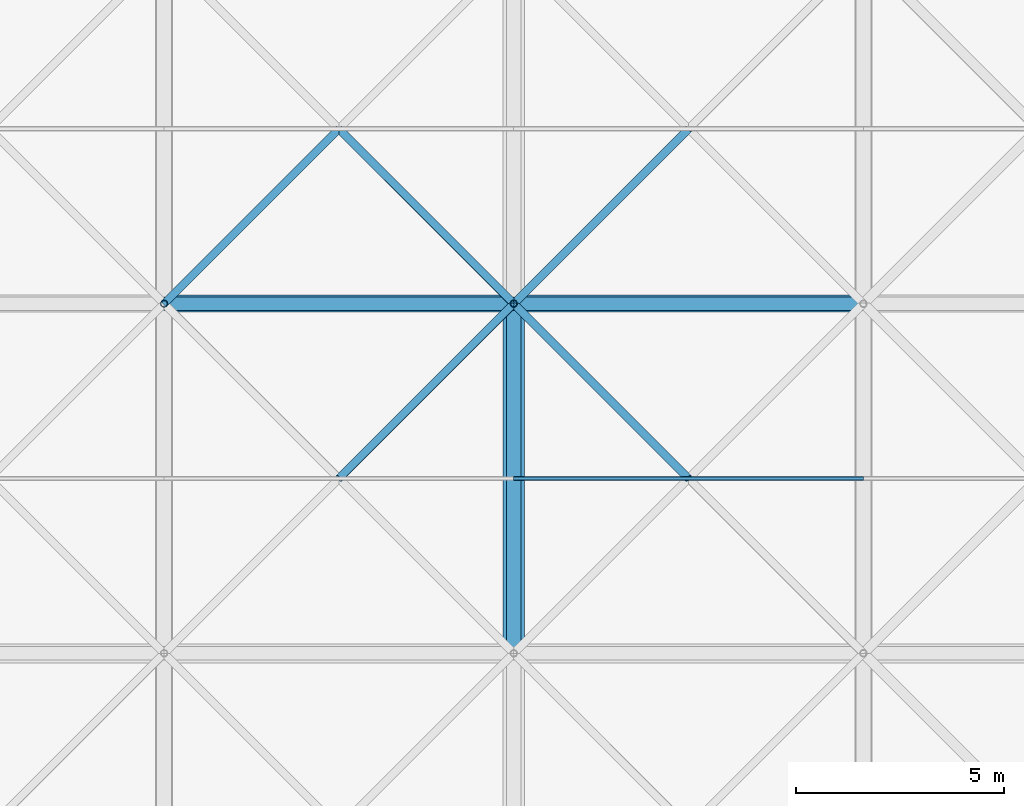
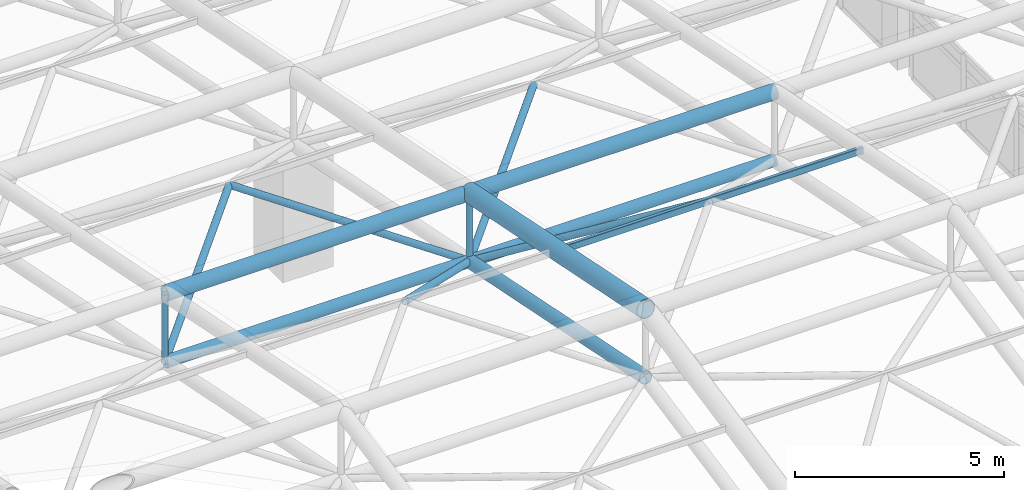
# One storey, part 62 of 110: 14 members.
"""IFC4 building model written with IfcOpenShell, lengths in metres."""

from ifc_helpers import new_model, si_unit, direction, frame, origin, origin_2d, place, context, subcontext, project, spatial, hollow_rectangle, hollow_circle, extrude, material, material_profile, profile_set, type_object, element, save


model = new_model("IFC4")

# Units and contexts
model_context = context("Model", 3, precision=1e-05, world=origin(), true_north=direction((0.0, 1.0)))
body_context = subcontext(model_context, "Body", "Model", "MODEL_VIEW")
ifc_project = project(units=[si_unit("LENGTHUNIT", "METRE"), si_unit("AREAUNIT", "SQUARE_METRE"), si_unit("VOLUMEUNIT", "CUBIC_METRE"), si_unit("PLANEANGLEUNIT", "RADIAN"), si_unit("MASSUNIT", "GRAM", prefix="KILO")], contexts=[model_context])

# Site, building, storey
site_placement = place(None, origin())
site = spatial("IfcSite", under=ifc_project, at=site_placement, CompositionType="ELEMENT")
building_placement = place(site_placement, origin())
building = spatial("IfcBuilding", under=site, at=building_placement, Name="Qawsi Khor Wholesale Market", CompositionType="ELEMENT")
storey_placement = place(building_placement, frame((0.0, 0.0, 11.39990234375)))
storey = spatial("IfcBuildingStorey", under=building, at=storey_placement, Name="L02", CompositionType="ELEMENT", Elevation=11.39990234375)

# Members
ifc_material = material(Name="Steel S355", Category="steel")
ifc_material_profile_1 = material_profile(ifc_material, hollow_circle(Radius=0.177734375, WallThickness=0.01611328125, at=origin_2d()), Name="CHS 355.6x16.0")
ifc_profile_set_1 = profile_set([ifc_material_profile_1], Name="Steel S355")
member_type_1 = type_object("IfcMemberType", Name="Space-Frame Bottom Chord CHS 355.6x16.0", PredefinedType="CHORD", material=ifc_profile_set_1)
member_1_placement = place(storey_placement, frame((201.60009765625, 75.60009765625, 6.77001953125), z_axis=(0.0, 0.980129990483, -0.1983562496), x_axis=(-1.0, 0.0, 0.0)))
element("IfcMember", 1, at=member_1_placement, inside=storey, type_object=member_type_1, Name="Space frame bottom chord Y EH (24,9)", PredefinedType="CHORD", context=body_context, shape_type="SweptSolid", body=[
    extrude(hollow_circle(Radius=0.177734375, WallThickness=0.01611328125, at=origin_2d()), origin(), (0.0, 0.0, 1.0), 8.5703125),
])
ifc_material_profile_2 = material_profile(ifc_material, hollow_circle(Radius=0.25390625, WallThickness=0.02490234375, at=origin_2d()), Name="CHS 508.0x25.0")
ifc_profile_set_2 = profile_set([ifc_material_profile_2], Name="Steel S355")
member_type_2 = type_object("IfcMemberType", Name="Space-Frame Main Chord CHS 508.0x25.0", PredefinedType="CHORD", material=ifc_profile_set_2)
member_2_placement = place(storey_placement, frame((201.60009765625, 75.60009765625, 8.77001953125), z_axis=(0.0, 0.980129990483, -0.1983562496), x_axis=(-1.0, 0.0, 0.0)))
element("IfcMember", 2, at=member_2_placement, inside=storey, type_object=member_type_2, Name="Space frame top chord Y EH (24,9)", PredefinedType="CHORD", context=body_context, shape_type="SweptSolid", body=[
    extrude(hollow_circle(Radius=0.25390625, WallThickness=0.02490234375, at=origin_2d()), origin(), (0.0, 0.0, 1.0), 8.5703125),
])
ifc_material_profile_3 = material_profile(ifc_material, hollow_rectangle(XDim=0.10009765625, YDim=0.199951171875, WallThickness=0.008056640625, InnerFilletRadius=0.008056640625, OuterFilletRadius=0.01611328125, at=origin_2d()), Name="RHS 200x100x8.0")
ifc_profile_set_3 = profile_set([ifc_material_profile_3], Name="Steel S355")
member_type_3 = type_object("IfcMemberType", Name="Space-Frame Purlin RHS 200x100x8.0", PredefinedType="PURLIN", material=ifc_profile_set_3)
member_3_placement = place(storey_placement, frame((201.60009765625, 79.800048828125, 7.920166015625), z_axis=(1.0, 0.0, 0.0), x_axis=(0.0, 1.0, 0.0)))
element("IfcMember", 3, at=member_3_placement, inside=storey, type_object=member_type_3, Name="Space frame purlin EH (24,9)", PredefinedType="PURLIN", context=body_context, shape_type="SweptSolid", body=[
    extrude(hollow_rectangle(XDim=0.10009765625, YDim=0.199951171875, WallThickness=0.008056640625, InnerFilletRadius=0.008056640625, OuterFilletRadius=0.01611328125, at=origin_2d()), origin(), (0.0, 0.0, 1.0), 8.39990234375),
])
ifc_material_profile_4 = material_profile(ifc_material, hollow_circle(Radius=0.161865234375, WallThickness=0.01611328125, at=origin_2d()), Name="CHS 323.9x16.0")
ifc_profile_set_4 = profile_set([ifc_material_profile_4], Name="Steel S355")
member_type_4 = type_object("IfcMemberType", Name="Space-Frame Secondary Chord CHS 323.9x16.0", PredefinedType="CHORD", material=ifc_profile_set_4)
member_4_placement = place(storey_placement, frame((193.199951171875, 84.0, 5.070068359375), z_axis=(1.0, 0.0, 0.0), x_axis=(0.0, 1.0, 0.0)))
element("IfcMember", 4, at=member_4_placement, inside=storey, type_object=member_type_4, Name="Space frame bottom chord X EH (23,10)", PredefinedType="CHORD", context=body_context, shape_type="SweptSolid", body=[
    extrude(hollow_circle(Radius=0.161865234375, WallThickness=0.01611328125, at=origin_2d()), origin(), (0.0, 0.0, 1.0), 8.400146484375),
])
member_5_placement = place(storey_placement, frame((201.60009765625, 84.0, 5.070068359375), z_axis=(1.0, 0.0, 0.0), x_axis=(0.0, 1.0, 0.0)))
element("IfcMember", 5, at=member_5_placement, inside=storey, type_object=member_type_4, Name="Space frame bottom chord X EH (24,10)", PredefinedType="CHORD", context=body_context, shape_type="SweptSolid", body=[
    extrude(hollow_circle(Radius=0.161865234375, WallThickness=0.01611328125, at=origin_2d()), origin(), (0.0, 0.0, 1.0), 8.39990234375),
])
ifc_material_profile_5 = material_profile(ifc_material, hollow_circle(Radius=0.096923828125, WallThickness=0.008056640625, at=origin_2d()), Name="CHS 193.7x8.0")
ifc_profile_set_5 = profile_set([ifc_material_profile_5], Name="Steel S355")
member_type_5 = type_object("IfcMemberType", Name="Space-Frame Secondary Diagonal CHS 193.7x8.0", PredefinedType="RAFTER", material=ifc_profile_set_5)
member_6_placement = place(storey_placement, frame((201.60009765625, 84.0, 5.070068359375), z_axis=(-0.637533737254, -0.637496679957, 0.432606884951), x_axis=(0.70708622964, -0.707127332136, 0.0)))
element("IfcMember", 6, at=member_6_placement, inside=storey, type_object=member_type_5, Name="Space frame diagonal EH (23,9)-3", PredefinedType="RAFTER", context=body_context, shape_type="SweptSolid", body=[
    extrude(hollow_circle(Radius=0.096923828125, WallThickness=0.008056640625, at=origin_2d()), origin(), (0.0, 0.0, 1.0), 6.588134765625),
])
for number, where, z_axis, x_axis, name in (
    (7, (193.199951171875, 84.0, 5.070068359375), (0.694211389158, 0.694211389158, 0.190108112208), (-0.707106781187, 0.707106781187, 0.0), "Space frame diagonal EH (23,10)-1"),
    (8, (201.60009765625, 84.0, 5.070068359375), (-0.694232294544, 0.694191941586, 0.190102786538), (-0.70708622964, -0.707127332136, 0.0), "Space frame diagonal EH (23,10)-2"),
):
    element("IfcMember", number, at=place(storey_placement, frame(where, z_axis=z_axis, x_axis=x_axis)), inside=storey, type_object=member_type_5, Name=name, PredefinedType="RAFTER", context=body_context, shape_type="SweptSolid", body=[
        extrude(hollow_circle(Radius=0.096923828125, WallThickness=0.008056640625, at=origin_2d()), origin(), (0.0, 0.0, 1.0), 6.050048828125),
    ])
member_7_placement = place(storey_placement, frame((201.60009765625, 84.0, 5.070068359375), z_axis=(0.637511741089, -0.637511741089, 0.432617105474), x_axis=(0.707106781187, 0.707106781187, 0.0)))
element("IfcMember", 9, at=member_7_placement, inside=storey, type_object=member_type_5, Name="Space frame diagonal EH (24,9)-4", PredefinedType="RAFTER", context=body_context, shape_type="SweptSolid", body=[
    extrude(hollow_circle(Radius=0.096923828125, WallThickness=0.008056640625, at=origin_2d()), origin(), (0.0, 0.0, 1.0), 6.588134765625),
])
member_8_placement = place(storey_placement, frame((201.60009765625, 84.0, 5.070068359375), z_axis=(0.694211389158, 0.694211389158, 0.190108112208), x_axis=(-0.707106781187, 0.707106781187, 0.0)))
element("IfcMember", 10, at=member_8_placement, inside=storey, type_object=member_type_5, Name="Space frame diagonal EH (24,10)-1", PredefinedType="RAFTER", context=body_context, shape_type="SweptSolid", body=[
    extrude(hollow_circle(Radius=0.096923828125, WallThickness=0.008056640625, at=origin_2d()), origin(), (0.0, 0.0, 1.0), 6.050048828125),
])
ifc_material_profile_6 = material_profile(ifc_material, hollow_circle(Radius=0.203125, WallThickness=0.02001953125, at=origin_2d()), Name="CHS 406.4x20.0")
ifc_profile_set_6 = profile_set([ifc_material_profile_6], Name="Steel S355")
member_type_6 = type_object("IfcMemberType", Name="Space-Frame Top Chord CHS 406.4x20.0", PredefinedType="CHORD", material=ifc_profile_set_6)
member_9_placement = place(storey_placement, frame((193.199951171875, 84.0, 7.070068359375), z_axis=(1.0, 0.0, 0.0), x_axis=(0.0, 1.0, 0.0)))
element("IfcMember", 11, at=member_9_placement, inside=storey, type_object=member_type_6, Name="Space frame top chord X EH (23,10)", PredefinedType="CHORD", context=body_context, shape_type="SweptSolid", body=[
    extrude(hollow_circle(Radius=0.203125, WallThickness=0.02001953125, at=origin_2d()), origin(), (0.0, 0.0, 1.0), 8.400146484375),
])
member_10_placement = place(storey_placement, frame((201.60009765625, 84.0, 7.070068359375), z_axis=(1.0, 0.0, 0.0), x_axis=(0.0, 1.0, 0.0)))
element("IfcMember", 12, at=member_10_placement, inside=storey, type_object=member_type_6, Name="Space frame top chord X EH (24,10)", PredefinedType="CHORD", context=body_context, shape_type="SweptSolid", body=[
    extrude(hollow_circle(Radius=0.203125, WallThickness=0.02001953125, at=origin_2d()), origin(), (0.0, 0.0, 1.0), 8.39990234375),
])
ifc_material_profile_7 = material_profile(ifc_material, hollow_circle(Radius=0.084228515625, WallThickness=0.008056640625, at=origin_2d()), Name="CHS 168.3x8.0")
ifc_profile_set_7 = profile_set([ifc_material_profile_7], Name="Steel S355")
member_type_7 = type_object("IfcMemberType", Name="Space-Frame Vertical Strut CHS 168.3x8.0", PredefinedType="STRUT", material=ifc_profile_set_7)
for number, where, z_axis, x_axis, name in (
    (13, (193.199951171875, 84.0, 5.070068359375), (0.0, 0.0, 1.0), (1.0, 0.0, 0.0), "Space frame post EH (23,10)"),
    (14, (201.60009765625, 84.0, 5.070068359375), (0.0, 0.0, 1.0), (1.0, 0.0, 0.0), "Space frame post EH (24,10)"),
):
    element("IfcMember", number, at=place(storey_placement, frame(where, z_axis=z_axis, x_axis=x_axis)), inside=storey, type_object=member_type_7, Name=name, PredefinedType="STRUT", context=body_context, shape_type="SweptSolid", body=[
        extrude(hollow_circle(Radius=0.084228515625, WallThickness=0.008056640625, at=origin_2d()), origin(), (0.0, 0.0, 1.0), 2.0),
    ])

save(model, "model.ifc")
